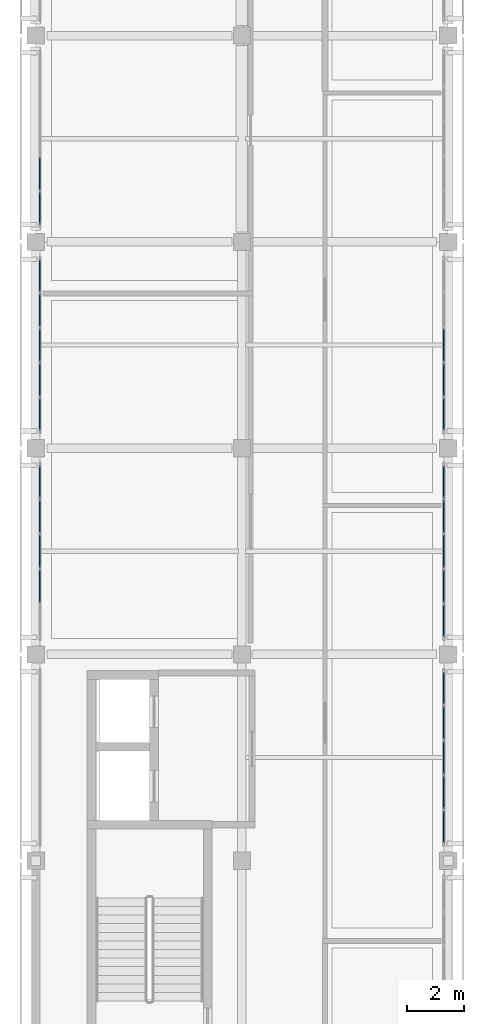
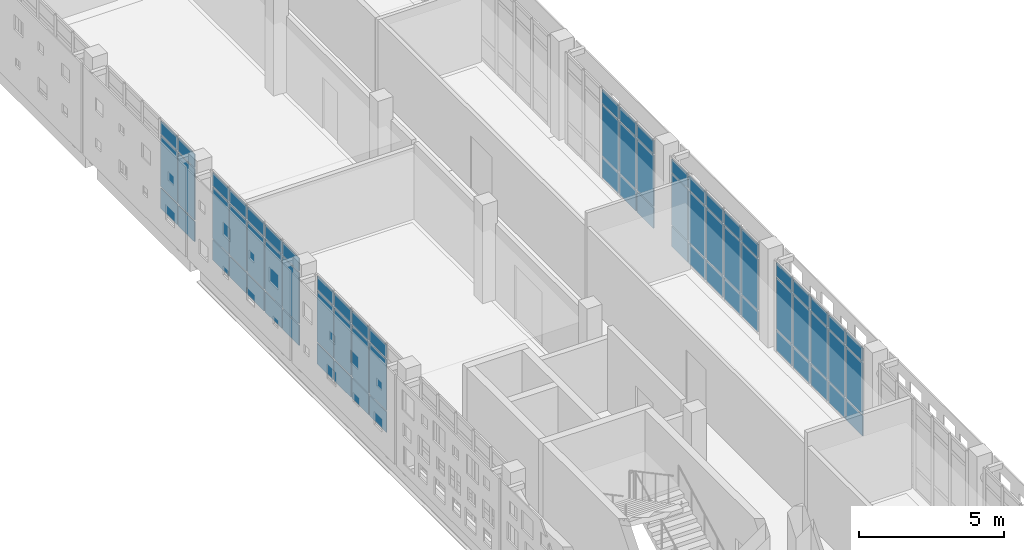
# One storey, part 12 of 21: 72 plates, 6 elements without a shape of their own.
"""IFC4 building model written with IfcOpenShell, lengths in metres."""

from ifc_helpers import new_model, si_unit, direction, frame, origin, origin_2d, place, context, subcontext, project, spatial, rectangle, extrude, material, layer, layer_set, type_object, element, aggregate, save


model = new_model("IFC4")

# Units and contexts
model_context = context("Model", 3, precision=1e-05, world=origin(), true_north=direction((0.0, 1.0)))
body_context = subcontext(model_context, "Body", "Model", "MODEL_VIEW")
ifc_project = project(units=[si_unit("LENGTHUNIT", "METRE"), si_unit("AREAUNIT", "SQUARE_METRE"), si_unit("VOLUMEUNIT", "CUBIC_METRE"), si_unit("PLANEANGLEUNIT", "RADIAN"), si_unit("MASSUNIT", "GRAM", prefix="KILO")], contexts=[model_context])

# Site, building, storey
site_placement = place(None, origin())
site = spatial("IfcSite", under=ifc_project, at=site_placement, CompositionType="ELEMENT")
building_placement = place(site_placement, origin())
building = spatial("IfcBuilding", under=site, at=building_placement, Name="Valkovuoma Quantum and Materials Research Institute", CompositionType="ELEMENT")
storey_placement = place(building_placement, frame((0.0, 0.0, 29.760009765625)))
storey = spatial("IfcBuildingStorey", under=building, at=storey_placement, Name="L07", CompositionType="ELEMENT", Elevation=29.760009765625)

# Curtain wall, plates
ifc_material_1 = material(Name="Thermally broken aluminium and triple low-E glazing", Category="aluminium")
ifc_layer_1 = layer(ifc_material_1, 0.219970703125)
ifc_layer_set_1 = layer_set([ifc_layer_1], Name="Thermally broken aluminium and triple low-E glazing")
curtain_wall_type = type_object("IfcCurtainWallType", Name="CW-CW-01", PredefinedType="NOTDEFINED", material=ifc_layer_set_1)
curtain_wall_1_placement = place(storey_placement, origin())
curtain_wall_1 = element("IfcCurtainWall", 1, at=curtain_wall_1_placement, inside=storey, type_object=curtain_wall_type, Name="L07 curtain wall 096", PredefinedType="NOTDEFINED")
ifc_material_2 = material(Name="Triple low-E argon insulating glass", Category="glass")
ifc_layer_2 = layer(ifc_material_2, 0.035888671875)
ifc_layer_set_2 = layer_set([ifc_layer_2], Name="Triple low-E argon insulating glass")
plate_type_1 = type_object("IfcPlateType", Name="CWPanel-CWP-01", PredefinedType="CURTAIN_PANEL", material=ifc_layer_set_2)
plate_1_placement = place(storey_placement, frame((0.14990234375, 45.582763671875, 0.06494140625), z_axis=(0.0, 0.0, 1.0), x_axis=(0.0, 1.0, 0.0)))
plate_1 = element("IfcPlate", 2, at=plate_1_placement, type_object=plate_type_1, Name="CW-01 panel 2.1", PredefinedType="CURTAIN_PANEL", context=body_context, shape_type="SweptSolid", body=[
    extrude(rectangle(XDim=1.152099609375, YDim=0.035888671875, at=origin_2d()), origin(), (0.0, 0.0, 1.0), 0.8525390625),
])
plate_2_placement = place(storey_placement, frame((0.14990234375, 45.582763671875, 0.982421875), z_axis=(0.0, 0.0, 1.0), x_axis=(0.0, 1.0, 0.0)))
plate_2 = element("IfcPlate", 3, at=plate_2_placement, type_object=plate_type_1, Name="CW-01 panel 2.2", PredefinedType="CURTAIN_PANEL", context=body_context, shape_type="SweptSolid", body=[
    extrude(rectangle(XDim=1.152099609375, YDim=0.035888671875, at=origin_2d()), origin(), (0.0, 0.0, 1.0), 2.14501953125),
])
plate_3_placement = place(storey_placement, frame((0.14990234375, 45.582763671875, 3.1923828125), z_axis=(0.0, 0.0, 1.0), x_axis=(0.0, 1.0, 0.0)))
plate_3 = element("IfcPlate", 4, at=plate_3_placement, type_object=plate_type_1, Name="CW-01 panel 2.3", PredefinedType="CURTAIN_PANEL", context=body_context, shape_type="SweptSolid", body=[
    extrude(rectangle(XDim=1.152099609375, YDim=0.035888671875, at=origin_2d()), origin(), (0.0, 0.0, 1.0), 0.552490234375),
])
plate_4_placement = place(storey_placement, frame((0.14990234375, 46.800048828125, 0.06494140625), z_axis=(0.0, 0.0, 1.0), x_axis=(0.0, 1.0, 0.0)))
plate_4 = element("IfcPlate", 5, at=plate_4_placement, type_object=plate_type_1, Name="CW-01 panel 3.1", PredefinedType="CURTAIN_PANEL", context=body_context, shape_type="SweptSolid", body=[
    extrude(rectangle(XDim=1.152099609375, YDim=0.035888671875, at=origin_2d()), origin(), (0.0, 0.0, 1.0), 0.8525390625),
])
plate_5_placement = place(storey_placement, frame((0.14990234375, 46.800048828125, 0.982421875), z_axis=(0.0, 0.0, 1.0), x_axis=(0.0, 1.0, 0.0)))
plate_5 = element("IfcPlate", 6, at=plate_5_placement, type_object=plate_type_1, Name="CW-01 panel 3.2", PredefinedType="CURTAIN_PANEL", context=body_context, shape_type="SweptSolid", body=[
    extrude(rectangle(XDim=1.152099609375, YDim=0.035888671875, at=origin_2d()), origin(), (0.0, 0.0, 1.0), 2.14501953125),
])
plate_6_placement = place(storey_placement, frame((0.14990234375, 46.800048828125, 3.1923828125), z_axis=(0.0, 0.0, 1.0), x_axis=(0.0, 1.0, 0.0)))
plate_6 = element("IfcPlate", 7, at=plate_6_placement, type_object=plate_type_1, Name="CW-01 panel 3.3", PredefinedType="CURTAIN_PANEL", context=body_context, shape_type="SweptSolid", body=[
    extrude(rectangle(XDim=1.152099609375, YDim=0.035888671875, at=origin_2d()), origin(), (0.0, 0.0, 1.0), 0.552490234375),
])
plate_7_placement = place(storey_placement, frame((0.14990234375, 48.01708984375, 0.06494140625), z_axis=(0.0, 0.0, 1.0), x_axis=(0.0, 1.0, 0.0)))
plate_7 = element("IfcPlate", 8, at=plate_7_placement, type_object=plate_type_1, Name="CW-01 panel 4.1", PredefinedType="CURTAIN_PANEL", context=body_context, shape_type="SweptSolid", body=[
    extrude(rectangle(XDim=1.152099609375, YDim=0.035888671875, at=origin_2d()), origin(), (0.0, 0.0, 1.0), 0.8525390625),
])
plate_8_placement = place(storey_placement, frame((0.14990234375, 48.01708984375, 0.982421875), z_axis=(0.0, 0.0, 1.0), x_axis=(0.0, 1.0, 0.0)))
plate_8 = element("IfcPlate", 9, at=plate_8_placement, type_object=plate_type_1, Name="CW-01 panel 4.2", PredefinedType="CURTAIN_PANEL", context=body_context, shape_type="SweptSolid", body=[
    extrude(rectangle(XDim=1.152099609375, YDim=0.035888671875, at=origin_2d()), origin(), (0.0, 0.0, 1.0), 2.14501953125),
])
plate_9_placement = place(storey_placement, frame((0.14990234375, 48.01708984375, 3.1923828125), z_axis=(0.0, 0.0, 1.0), x_axis=(0.0, 1.0, 0.0)))
plate_9 = element("IfcPlate", 10, at=plate_9_placement, type_object=plate_type_1, Name="CW-01 panel 4.3", PredefinedType="CURTAIN_PANEL", context=body_context, shape_type="SweptSolid", body=[
    extrude(rectangle(XDim=1.152099609375, YDim=0.035888671875, at=origin_2d()), origin(), (0.0, 0.0, 1.0), 0.552490234375),
])
plate_10_placement = place(storey_placement, frame((0.14990234375, 49.218017578125, 0.06494140625), z_axis=(0.0, 0.0, 1.0), x_axis=(0.0, 1.0, 0.0)))
plate_10 = element("IfcPlate", 11, at=plate_10_placement, type_object=plate_type_1, Name="CW-01 panel 5.1", PredefinedType="CURTAIN_PANEL", context=body_context, shape_type="SweptSolid", body=[
    extrude(rectangle(XDim=1.11962890625, YDim=0.035888671875, at=origin_2d()), origin(), (0.0, 0.0, 1.0), 0.8525390625),
])
plate_11_placement = place(storey_placement, frame((0.14990234375, 49.218017578125, 0.982421875), z_axis=(0.0, 0.0, 1.0), x_axis=(0.0, 1.0, 0.0)))
plate_11 = element("IfcPlate", 12, at=plate_11_placement, type_object=plate_type_1, Name="CW-01 panel 5.2", PredefinedType="CURTAIN_PANEL", context=body_context, shape_type="SweptSolid", body=[
    extrude(rectangle(XDim=1.11962890625, YDim=0.035888671875, at=origin_2d()), origin(), (0.0, 0.0, 1.0), 2.14501953125),
])
plate_12_placement = place(storey_placement, frame((0.14990234375, 49.218017578125, 3.1923828125), z_axis=(0.0, 0.0, 1.0), x_axis=(0.0, 1.0, 0.0)))
plate_12 = element("IfcPlate", 13, at=plate_12_placement, type_object=plate_type_1, Name="CW-01 panel 5.3", PredefinedType="CURTAIN_PANEL", context=body_context, shape_type="SweptSolid", body=[
    extrude(rectangle(XDim=1.11962890625, YDim=0.035888671875, at=origin_2d()), origin(), (0.0, 0.0, 1.0), 0.552490234375),
])
aggregate(curtain_wall_1, [plate_1, plate_2, plate_3, plate_4, plate_5, plate_6, plate_7, plate_8, plate_9, plate_10, plate_11, plate_12])

curtain_wall_2_placement = place(storey_placement, origin())
curtain_wall_2 = element("IfcCurtainWall", 14, at=curtain_wall_2_placement, inside=storey, type_object=curtain_wall_type, Name="L07 curtain wall 098", PredefinedType="NOTDEFINED")
plate_13_placement = place(storey_placement, frame((0.14990234375, 51.58203125, 0.06494140625), z_axis=(0.0, 0.0, 1.0), x_axis=(0.0, 1.0, 0.0)))
plate_13 = element("IfcPlate", 15, at=plate_13_placement, type_object=plate_type_1, Name="CW-01 panel 1.1", PredefinedType="CURTAIN_PANEL", context=body_context, shape_type="SweptSolid", body=[
    extrude(rectangle(XDim=1.11962890625, YDim=0.035888671875, at=origin_2d()), origin(), (0.0, 0.0, 1.0), 0.8525390625),
])
plate_14_placement = place(storey_placement, frame((0.14990234375, 51.58203125, 0.982421875), z_axis=(0.0, 0.0, 1.0), x_axis=(0.0, 1.0, 0.0)))
plate_14 = element("IfcPlate", 16, at=plate_14_placement, type_object=plate_type_1, Name="CW-01 panel 1.2", PredefinedType="CURTAIN_PANEL", context=body_context, shape_type="SweptSolid", body=[
    extrude(rectangle(XDim=1.11962890625, YDim=0.035888671875, at=origin_2d()), origin(), (0.0, 0.0, 1.0), 2.14501953125),
])
plate_15_placement = place(storey_placement, frame((0.14990234375, 51.58203125, 3.1923828125), z_axis=(0.0, 0.0, 1.0), x_axis=(0.0, 1.0, 0.0)))
plate_15 = element("IfcPlate", 17, at=plate_15_placement, type_object=plate_type_1, Name="CW-01 panel 1.3", PredefinedType="CURTAIN_PANEL", context=body_context, shape_type="SweptSolid", body=[
    extrude(rectangle(XDim=1.11962890625, YDim=0.035888671875, at=origin_2d()), origin(), (0.0, 0.0, 1.0), 0.552490234375),
])
plate_16_placement = place(storey_placement, frame((0.14990234375, 52.782958984375, 0.06494140625), z_axis=(0.0, 0.0, 1.0), x_axis=(0.0, 1.0, 0.0)))
plate_16 = element("IfcPlate", 18, at=plate_16_placement, type_object=plate_type_1, Name="CW-01 panel 2.1", PredefinedType="CURTAIN_PANEL", context=body_context, shape_type="SweptSolid", body=[
    extrude(rectangle(XDim=1.152099609375, YDim=0.035888671875, at=origin_2d()), origin(), (0.0, 0.0, 1.0), 0.8525390625),
])
plate_17_placement = place(storey_placement, frame((0.14990234375, 52.782958984375, 0.982421875), z_axis=(0.0, 0.0, 1.0), x_axis=(0.0, 1.0, 0.0)))
plate_17 = element("IfcPlate", 19, at=plate_17_placement, type_object=plate_type_1, Name="CW-01 panel 2.2", PredefinedType="CURTAIN_PANEL", context=body_context, shape_type="SweptSolid", body=[
    extrude(rectangle(XDim=1.152099609375, YDim=0.035888671875, at=origin_2d()), origin(), (0.0, 0.0, 1.0), 2.14501953125),
])
plate_18_placement = place(storey_placement, frame((0.14990234375, 52.782958984375, 3.1923828125), z_axis=(0.0, 0.0, 1.0), x_axis=(0.0, 1.0, 0.0)))
plate_18 = element("IfcPlate", 20, at=plate_18_placement, type_object=plate_type_1, Name="CW-01 panel 2.3", PredefinedType="CURTAIN_PANEL", context=body_context, shape_type="SweptSolid", body=[
    extrude(rectangle(XDim=1.152099609375, YDim=0.035888671875, at=origin_2d()), origin(), (0.0, 0.0, 1.0), 0.552490234375),
])
plate_19_placement = place(storey_placement, frame((0.14990234375, 54.0, 0.06494140625), z_axis=(0.0, 0.0, 1.0), x_axis=(0.0, 1.0, 0.0)))
plate_19 = element("IfcPlate", 21, at=plate_19_placement, type_object=plate_type_1, Name="CW-01 panel 3.1", PredefinedType="CURTAIN_PANEL", context=body_context, shape_type="SweptSolid", body=[
    extrude(rectangle(XDim=1.152099609375, YDim=0.035888671875, at=origin_2d()), origin(), (0.0, 0.0, 1.0), 0.8525390625),
])
plate_20_placement = place(storey_placement, frame((0.14990234375, 54.0, 0.982421875), z_axis=(0.0, 0.0, 1.0), x_axis=(0.0, 1.0, 0.0)))
plate_20 = element("IfcPlate", 22, at=plate_20_placement, type_object=plate_type_1, Name="CW-01 panel 3.2", PredefinedType="CURTAIN_PANEL", context=body_context, shape_type="SweptSolid", body=[
    extrude(rectangle(XDim=1.152099609375, YDim=0.035888671875, at=origin_2d()), origin(), (0.0, 0.0, 1.0), 2.14501953125),
])
plate_21_placement = place(storey_placement, frame((0.14990234375, 54.0, 3.1923828125), z_axis=(0.0, 0.0, 1.0), x_axis=(0.0, 1.0, 0.0)))
plate_21 = element("IfcPlate", 23, at=plate_21_placement, type_object=plate_type_1, Name="CW-01 panel 3.3", PredefinedType="CURTAIN_PANEL", context=body_context, shape_type="SweptSolid", body=[
    extrude(rectangle(XDim=1.152099609375, YDim=0.035888671875, at=origin_2d()), origin(), (0.0, 0.0, 1.0), 0.552490234375),
])
plate_22_placement = place(storey_placement, frame((0.14990234375, 55.217041015625, 0.06494140625), z_axis=(0.0, 0.0, 1.0), x_axis=(0.0, 1.0, 0.0)))
plate_22 = element("IfcPlate", 24, at=plate_22_placement, type_object=plate_type_1, Name="CW-01 panel 4.1", PredefinedType="CURTAIN_PANEL", context=body_context, shape_type="SweptSolid", body=[
    extrude(rectangle(XDim=1.152099609375, YDim=0.035888671875, at=origin_2d()), origin(), (0.0, 0.0, 1.0), 0.8525390625),
])
plate_23_placement = place(storey_placement, frame((0.14990234375, 55.217041015625, 0.982421875), z_axis=(0.0, 0.0, 1.0), x_axis=(0.0, 1.0, 0.0)))
plate_23 = element("IfcPlate", 25, at=plate_23_placement, type_object=plate_type_1, Name="CW-01 panel 4.2", PredefinedType="CURTAIN_PANEL", context=body_context, shape_type="SweptSolid", body=[
    extrude(rectangle(XDim=1.152099609375, YDim=0.035888671875, at=origin_2d()), origin(), (0.0, 0.0, 1.0), 2.14501953125),
])
plate_24_placement = place(storey_placement, frame((0.14990234375, 55.217041015625, 3.1923828125), z_axis=(0.0, 0.0, 1.0), x_axis=(0.0, 1.0, 0.0)))
plate_24 = element("IfcPlate", 26, at=plate_24_placement, type_object=plate_type_1, Name="CW-01 panel 4.3", PredefinedType="CURTAIN_PANEL", context=body_context, shape_type="SweptSolid", body=[
    extrude(rectangle(XDim=1.152099609375, YDim=0.035888671875, at=origin_2d()), origin(), (0.0, 0.0, 1.0), 0.552490234375),
])
plate_25_placement = place(storey_placement, frame((0.14990234375, 56.41796875, 0.06494140625), z_axis=(0.0, 0.0, 1.0), x_axis=(0.0, 1.0, 0.0)))
plate_25 = element("IfcPlate", 27, at=plate_25_placement, type_object=plate_type_1, Name="CW-01 panel 5.1", PredefinedType="CURTAIN_PANEL", context=body_context, shape_type="SweptSolid", body=[
    extrude(rectangle(XDim=1.11962890625, YDim=0.035888671875, at=origin_2d()), origin(), (0.0, 0.0, 1.0), 0.8525390625),
])
plate_26_placement = place(storey_placement, frame((0.14990234375, 56.41796875, 0.982421875), z_axis=(0.0, 0.0, 1.0), x_axis=(0.0, 1.0, 0.0)))
plate_26 = element("IfcPlate", 28, at=plate_26_placement, type_object=plate_type_1, Name="CW-01 panel 5.2", PredefinedType="CURTAIN_PANEL", context=body_context, shape_type="SweptSolid", body=[
    extrude(rectangle(XDim=1.11962890625, YDim=0.035888671875, at=origin_2d()), origin(), (0.0, 0.0, 1.0), 2.14501953125),
])
plate_27_placement = place(storey_placement, frame((0.14990234375, 56.41796875, 3.1923828125), z_axis=(0.0, 0.0, 1.0), x_axis=(0.0, 1.0, 0.0)))
plate_27 = element("IfcPlate", 29, at=plate_27_placement, type_object=plate_type_1, Name="CW-01 panel 5.3", PredefinedType="CURTAIN_PANEL", context=body_context, shape_type="SweptSolid", body=[
    extrude(rectangle(XDim=1.11962890625, YDim=0.035888671875, at=origin_2d()), origin(), (0.0, 0.0, 1.0), 0.552490234375),
])
aggregate(curtain_wall_2, [plate_13, plate_14, plate_15, plate_16, plate_17, plate_18, plate_19, plate_20, plate_21, plate_22, plate_23, plate_24, plate_25, plate_26, plate_27])

curtain_wall_3_placement = place(storey_placement, origin())
curtain_wall_3 = element("IfcCurtainWall", 30, at=curtain_wall_3_placement, inside=storey, type_object=curtain_wall_type, Name="L07 curtain wall 100", PredefinedType="NOTDEFINED")
plate_28_placement = place(storey_placement, frame((0.14990234375, 58.781982421875, 0.06494140625), z_axis=(0.0, 0.0, 1.0), x_axis=(0.0, 1.0, 0.0)))
plate_28 = element("IfcPlate", 31, at=plate_28_placement, type_object=plate_type_1, Name="CW-01 panel 1.1", PredefinedType="CURTAIN_PANEL", context=body_context, shape_type="SweptSolid", body=[
    extrude(rectangle(XDim=1.11962890625, YDim=0.035888671875, at=origin_2d()), origin(), (0.0, 0.0, 1.0), 0.8525390625),
])
plate_29_placement = place(storey_placement, frame((0.14990234375, 58.781982421875, 0.982421875), z_axis=(0.0, 0.0, 1.0), x_axis=(0.0, 1.0, 0.0)))
plate_29 = element("IfcPlate", 32, at=plate_29_placement, type_object=plate_type_1, Name="CW-01 panel 1.2", PredefinedType="CURTAIN_PANEL", context=body_context, shape_type="SweptSolid", body=[
    extrude(rectangle(XDim=1.11962890625, YDim=0.035888671875, at=origin_2d()), origin(), (0.0, 0.0, 1.0), 2.14501953125),
])
plate_30_placement = place(storey_placement, frame((0.14990234375, 58.781982421875, 3.1923828125), z_axis=(0.0, 0.0, 1.0), x_axis=(0.0, 1.0, 0.0)))
plate_30 = element("IfcPlate", 33, at=plate_30_placement, type_object=plate_type_1, Name="CW-01 panel 1.3", PredefinedType="CURTAIN_PANEL", context=body_context, shape_type="SweptSolid", body=[
    extrude(rectangle(XDim=1.11962890625, YDim=0.035888671875, at=origin_2d()), origin(), (0.0, 0.0, 1.0), 0.552490234375),
])
plate_31_placement = place(storey_placement, frame((0.14990234375, 59.98291015625, 0.06494140625), z_axis=(0.0, 0.0, 1.0), x_axis=(0.0, 1.0, 0.0)))
plate_31 = element("IfcPlate", 34, at=plate_31_placement, type_object=plate_type_1, Name="CW-01 panel 2.1", PredefinedType="CURTAIN_PANEL", context=body_context, shape_type="SweptSolid", body=[
    extrude(rectangle(XDim=1.152099609375, YDim=0.035888671875, at=origin_2d()), origin(), (0.0, 0.0, 1.0), 0.8525390625),
])
plate_32_placement = place(storey_placement, frame((0.14990234375, 59.98291015625, 0.982421875), z_axis=(0.0, 0.0, 1.0), x_axis=(0.0, 1.0, 0.0)))
plate_32 = element("IfcPlate", 35, at=plate_32_placement, type_object=plate_type_1, Name="CW-01 panel 2.2", PredefinedType="CURTAIN_PANEL", context=body_context, shape_type="SweptSolid", body=[
    extrude(rectangle(XDim=1.152099609375, YDim=0.035888671875, at=origin_2d()), origin(), (0.0, 0.0, 1.0), 2.14501953125),
])
plate_33_placement = place(storey_placement, frame((0.14990234375, 59.98291015625, 3.1923828125), z_axis=(0.0, 0.0, 1.0), x_axis=(0.0, 1.0, 0.0)))
plate_33 = element("IfcPlate", 36, at=plate_33_placement, type_object=plate_type_1, Name="CW-01 panel 2.3", PredefinedType="CURTAIN_PANEL", context=body_context, shape_type="SweptSolid", body=[
    extrude(rectangle(XDim=1.152099609375, YDim=0.035888671875, at=origin_2d()), origin(), (0.0, 0.0, 1.0), 0.552490234375),
])
aggregate(curtain_wall_3, [plate_28, plate_29, plate_30, plate_31, plate_32, plate_33])

curtain_wall_4_placement = place(storey_placement, origin())
curtain_wall_4 = element("IfcCurtainWall", 37, at=curtain_wall_4_placement, inside=storey, type_object=curtain_wall_type, Name="L07 curtain wall 095", PredefinedType="NOTDEFINED")
ifc_material_3 = material(Name="Triple low-E argon insulating glass", Category="glass")
ifc_layer_3 = layer(ifc_material_3, 0.0419921875)
ifc_layer_set_3 = layer_set([ifc_layer_3], Name="Triple low-E argon insulating glass")
plate_type_2 = type_object("IfcPlateType", Name="CWPanel-CWP-02", PredefinedType="CURTAIN_PANEL", material=ifc_layer_set_3)
plate_34_placement = place(storey_placement, frame((14.25, 37.181884765625, 0.06494140625), z_axis=(0.0, 0.0, 1.0), x_axis=(0.0, 1.0, 0.0)))
plate_34 = element("IfcPlate", 38, at=plate_34_placement, type_object=plate_type_2, Name="CW-01 panel 1.1", PredefinedType="CURTAIN_PANEL", context=body_context, shape_type="SweptSolid", body=[
    extrude(rectangle(XDim=1.11962890625, YDim=0.0419921875, at=origin_2d()), origin(), (0.0, 0.0, 1.0), 0.8525390625),
])
plate_35_placement = place(storey_placement, frame((14.25, 37.181884765625, 0.982421875), z_axis=(0.0, 0.0, 1.0), x_axis=(0.0, 1.0, 0.0)))
plate_35 = element("IfcPlate", 39, at=plate_35_placement, type_object=plate_type_2, Name="CW-01 panel 1.2", PredefinedType="CURTAIN_PANEL", context=body_context, shape_type="SweptSolid", body=[
    extrude(rectangle(XDim=1.11962890625, YDim=0.0419921875, at=origin_2d()), origin(), (0.0, 0.0, 1.0), 2.14501953125),
])
plate_36_placement = place(storey_placement, frame((14.25, 37.181884765625, 3.1923828125), z_axis=(0.0, 0.0, 1.0), x_axis=(0.0, 1.0, 0.0)))
plate_36 = element("IfcPlate", 40, at=plate_36_placement, type_object=plate_type_2, Name="CW-01 panel 1.3", PredefinedType="CURTAIN_PANEL", context=body_context, shape_type="SweptSolid", body=[
    extrude(rectangle(XDim=1.11962890625, YDim=0.0419921875, at=origin_2d()), origin(), (0.0, 0.0, 1.0), 0.552490234375),
])
plate_37_placement = place(storey_placement, frame((14.25, 38.3828125, 0.06494140625), z_axis=(0.0, 0.0, 1.0), x_axis=(0.0, 1.0, 0.0)))
plate_37 = element("IfcPlate", 41, at=plate_37_placement, type_object=plate_type_2, Name="CW-01 panel 2.1", PredefinedType="CURTAIN_PANEL", context=body_context, shape_type="SweptSolid", body=[
    extrude(rectangle(XDim=1.152099609375, YDim=0.0419921875, at=origin_2d()), origin(), (0.0, 0.0, 1.0), 0.8525390625),
])
plate_38_placement = place(storey_placement, frame((14.25, 38.3828125, 0.982421875), z_axis=(0.0, 0.0, 1.0), x_axis=(0.0, 1.0, 0.0)))
plate_38 = element("IfcPlate", 42, at=plate_38_placement, type_object=plate_type_2, Name="CW-01 panel 2.2", PredefinedType="CURTAIN_PANEL", context=body_context, shape_type="SweptSolid", body=[
    extrude(rectangle(XDim=1.152099609375, YDim=0.0419921875, at=origin_2d()), origin(), (0.0, 0.0, 1.0), 2.14501953125),
])
plate_39_placement = place(storey_placement, frame((14.25, 38.3828125, 3.1923828125), z_axis=(0.0, 0.0, 1.0), x_axis=(0.0, 1.0, 0.0)))
plate_39 = element("IfcPlate", 43, at=plate_39_placement, type_object=plate_type_2, Name="CW-01 panel 2.3", PredefinedType="CURTAIN_PANEL", context=body_context, shape_type="SweptSolid", body=[
    extrude(rectangle(XDim=1.152099609375, YDim=0.0419921875, at=origin_2d()), origin(), (0.0, 0.0, 1.0), 0.552490234375),
])
plate_40_placement = place(storey_placement, frame((14.25, 39.60009765625, 0.06494140625), z_axis=(0.0, 0.0, 1.0), x_axis=(0.0, 1.0, 0.0)))
plate_40 = element("IfcPlate", 44, at=plate_40_placement, type_object=plate_type_2, Name="CW-01 panel 3.1", PredefinedType="CURTAIN_PANEL", context=body_context, shape_type="SweptSolid", body=[
    extrude(rectangle(XDim=1.152099609375, YDim=0.0419921875, at=origin_2d()), origin(), (0.0, 0.0, 1.0), 0.8525390625),
])
plate_41_placement = place(storey_placement, frame((14.25, 39.60009765625, 0.982421875), z_axis=(0.0, 0.0, 1.0), x_axis=(0.0, 1.0, 0.0)))
plate_41 = element("IfcPlate", 45, at=plate_41_placement, type_object=plate_type_2, Name="CW-01 panel 3.2", PredefinedType="CURTAIN_PANEL", context=body_context, shape_type="SweptSolid", body=[
    extrude(rectangle(XDim=1.152099609375, YDim=0.0419921875, at=origin_2d()), origin(), (0.0, 0.0, 1.0), 2.14501953125),
])
plate_42_placement = place(storey_placement, frame((14.25, 39.60009765625, 3.1923828125), z_axis=(0.0, 0.0, 1.0), x_axis=(0.0, 1.0, 0.0)))
plate_42 = element("IfcPlate", 46, at=plate_42_placement, type_object=plate_type_2, Name="CW-01 panel 3.3", PredefinedType="CURTAIN_PANEL", context=body_context, shape_type="SweptSolid", body=[
    extrude(rectangle(XDim=1.152099609375, YDim=0.0419921875, at=origin_2d()), origin(), (0.0, 0.0, 1.0), 0.552490234375),
])
plate_43_placement = place(storey_placement, frame((14.25, 40.817138671875, 0.06494140625), z_axis=(0.0, 0.0, 1.0), x_axis=(0.0, 1.0, 0.0)))
plate_43 = element("IfcPlate", 47, at=plate_43_placement, type_object=plate_type_2, Name="CW-01 panel 4.1", PredefinedType="CURTAIN_PANEL", context=body_context, shape_type="SweptSolid", body=[
    extrude(rectangle(XDim=1.152099609375, YDim=0.0419921875, at=origin_2d()), origin(), (0.0, 0.0, 1.0), 0.8525390625),
])
plate_44_placement = place(storey_placement, frame((14.25, 40.817138671875, 0.982421875), z_axis=(0.0, 0.0, 1.0), x_axis=(0.0, 1.0, 0.0)))
plate_44 = element("IfcPlate", 48, at=plate_44_placement, type_object=plate_type_2, Name="CW-01 panel 4.2", PredefinedType="CURTAIN_PANEL", context=body_context, shape_type="SweptSolid", body=[
    extrude(rectangle(XDim=1.152099609375, YDim=0.0419921875, at=origin_2d()), origin(), (0.0, 0.0, 1.0), 2.14501953125),
])
plate_45_placement = place(storey_placement, frame((14.25, 40.817138671875, 3.1923828125), z_axis=(0.0, 0.0, 1.0), x_axis=(0.0, 1.0, 0.0)))
plate_45 = element("IfcPlate", 49, at=plate_45_placement, type_object=plate_type_2, Name="CW-01 panel 4.3", PredefinedType="CURTAIN_PANEL", context=body_context, shape_type="SweptSolid", body=[
    extrude(rectangle(XDim=1.152099609375, YDim=0.0419921875, at=origin_2d()), origin(), (0.0, 0.0, 1.0), 0.552490234375),
])
plate_46_placement = place(storey_placement, frame((14.25, 42.01806640625, 0.06494140625), z_axis=(0.0, 0.0, 1.0), x_axis=(0.0, 1.0, 0.0)))
plate_46 = element("IfcPlate", 50, at=plate_46_placement, type_object=plate_type_2, Name="CW-01 panel 5.1", PredefinedType="CURTAIN_PANEL", context=body_context, shape_type="SweptSolid", body=[
    extrude(rectangle(XDim=1.11962890625, YDim=0.0419921875, at=origin_2d()), origin(), (0.0, 0.0, 1.0), 0.8525390625),
])
plate_47_placement = place(storey_placement, frame((14.25, 42.01806640625, 0.982421875), z_axis=(0.0, 0.0, 1.0), x_axis=(0.0, 1.0, 0.0)))
plate_47 = element("IfcPlate", 51, at=plate_47_placement, type_object=plate_type_2, Name="CW-01 panel 5.2", PredefinedType="CURTAIN_PANEL", context=body_context, shape_type="SweptSolid", body=[
    extrude(rectangle(XDim=1.11962890625, YDim=0.0419921875, at=origin_2d()), origin(), (0.0, 0.0, 1.0), 2.14501953125),
])
plate_48_placement = place(storey_placement, frame((14.25, 42.01806640625, 3.1923828125), z_axis=(0.0, 0.0, 1.0), x_axis=(0.0, 1.0, 0.0)))
plate_48 = element("IfcPlate", 52, at=plate_48_placement, type_object=plate_type_2, Name="CW-01 panel 5.3", PredefinedType="CURTAIN_PANEL", context=body_context, shape_type="SweptSolid", body=[
    extrude(rectangle(XDim=1.11962890625, YDim=0.0419921875, at=origin_2d()), origin(), (0.0, 0.0, 1.0), 0.552490234375),
])
aggregate(curtain_wall_4, [plate_34, plate_35, plate_36, plate_37, plate_38, plate_39, plate_40, plate_41, plate_42, plate_43, plate_44, plate_45, plate_46, plate_47, plate_48])

curtain_wall_5_placement = place(storey_placement, origin())
curtain_wall_5 = element("IfcCurtainWall", 53, at=curtain_wall_5_placement, inside=storey, type_object=curtain_wall_type, Name="L07 curtain wall 097", PredefinedType="NOTDEFINED")
plate_49_placement = place(storey_placement, frame((14.25, 44.3818359375, 0.06494140625), z_axis=(0.0, 0.0, 1.0), x_axis=(0.0, 1.0, 0.0)))
plate_49 = element("IfcPlate", 54, at=plate_49_placement, type_object=plate_type_2, Name="CW-01 panel 1.1", PredefinedType="CURTAIN_PANEL", context=body_context, shape_type="SweptSolid", body=[
    extrude(rectangle(XDim=1.11962890625, YDim=0.0419921875, at=origin_2d()), origin(), (0.0, 0.0, 1.0), 0.8525390625),
])
plate_50_placement = place(storey_placement, frame((14.25, 44.3818359375, 0.982421875), z_axis=(0.0, 0.0, 1.0), x_axis=(0.0, 1.0, 0.0)))
plate_50 = element("IfcPlate", 55, at=plate_50_placement, type_object=plate_type_2, Name="CW-01 panel 1.2", PredefinedType="CURTAIN_PANEL", context=body_context, shape_type="SweptSolid", body=[
    extrude(rectangle(XDim=1.11962890625, YDim=0.0419921875, at=origin_2d()), origin(), (0.0, 0.0, 1.0), 2.14501953125),
])
plate_51_placement = place(storey_placement, frame((14.25, 44.3818359375, 3.1923828125), z_axis=(0.0, 0.0, 1.0), x_axis=(0.0, 1.0, 0.0)))
plate_51 = element("IfcPlate", 56, at=plate_51_placement, type_object=plate_type_2, Name="CW-01 panel 1.3", PredefinedType="CURTAIN_PANEL", context=body_context, shape_type="SweptSolid", body=[
    extrude(rectangle(XDim=1.11962890625, YDim=0.0419921875, at=origin_2d()), origin(), (0.0, 0.0, 1.0), 0.552490234375),
])
plate_52_placement = place(storey_placement, frame((14.25, 45.582763671875, 0.06494140625), z_axis=(0.0, 0.0, 1.0), x_axis=(0.0, 1.0, 0.0)))
plate_52 = element("IfcPlate", 57, at=plate_52_placement, type_object=plate_type_2, Name="CW-01 panel 2.1", PredefinedType="CURTAIN_PANEL", context=body_context, shape_type="SweptSolid", body=[
    extrude(rectangle(XDim=1.152099609375, YDim=0.0419921875, at=origin_2d()), origin(), (0.0, 0.0, 1.0), 0.8525390625),
])
plate_53_placement = place(storey_placement, frame((14.25, 45.582763671875, 0.982421875), z_axis=(0.0, 0.0, 1.0), x_axis=(0.0, 1.0, 0.0)))
plate_53 = element("IfcPlate", 58, at=plate_53_placement, type_object=plate_type_2, Name="CW-01 panel 2.2", PredefinedType="CURTAIN_PANEL", context=body_context, shape_type="SweptSolid", body=[
    extrude(rectangle(XDim=1.152099609375, YDim=0.0419921875, at=origin_2d()), origin(), (0.0, 0.0, 1.0), 2.14501953125),
])
plate_54_placement = place(storey_placement, frame((14.25, 45.582763671875, 3.1923828125), z_axis=(0.0, 0.0, 1.0), x_axis=(0.0, 1.0, 0.0)))
plate_54 = element("IfcPlate", 59, at=plate_54_placement, type_object=plate_type_2, Name="CW-01 panel 2.3", PredefinedType="CURTAIN_PANEL", context=body_context, shape_type="SweptSolid", body=[
    extrude(rectangle(XDim=1.152099609375, YDim=0.0419921875, at=origin_2d()), origin(), (0.0, 0.0, 1.0), 0.552490234375),
])
plate_55_placement = place(storey_placement, frame((14.25, 46.800048828125, 0.06494140625), z_axis=(0.0, 0.0, 1.0), x_axis=(0.0, 1.0, 0.0)))
plate_55 = element("IfcPlate", 60, at=plate_55_placement, type_object=plate_type_2, Name="CW-01 panel 3.1", PredefinedType="CURTAIN_PANEL", context=body_context, shape_type="SweptSolid", body=[
    extrude(rectangle(XDim=1.152099609375, YDim=0.0419921875, at=origin_2d()), origin(), (0.0, 0.0, 1.0), 0.8525390625),
])
plate_56_placement = place(storey_placement, frame((14.25, 46.800048828125, 0.982421875), z_axis=(0.0, 0.0, 1.0), x_axis=(0.0, 1.0, 0.0)))
plate_56 = element("IfcPlate", 61, at=plate_56_placement, type_object=plate_type_2, Name="CW-01 panel 3.2", PredefinedType="CURTAIN_PANEL", context=body_context, shape_type="SweptSolid", body=[
    extrude(rectangle(XDim=1.152099609375, YDim=0.0419921875, at=origin_2d()), origin(), (0.0, 0.0, 1.0), 2.14501953125),
])
plate_57_placement = place(storey_placement, frame((14.25, 46.800048828125, 3.1923828125), z_axis=(0.0, 0.0, 1.0), x_axis=(0.0, 1.0, 0.0)))
plate_57 = element("IfcPlate", 62, at=plate_57_placement, type_object=plate_type_2, Name="CW-01 panel 3.3", PredefinedType="CURTAIN_PANEL", context=body_context, shape_type="SweptSolid", body=[
    extrude(rectangle(XDim=1.152099609375, YDim=0.0419921875, at=origin_2d()), origin(), (0.0, 0.0, 1.0), 0.552490234375),
])
plate_58_placement = place(storey_placement, frame((14.25, 48.01708984375, 0.06494140625), z_axis=(0.0, 0.0, 1.0), x_axis=(0.0, 1.0, 0.0)))
plate_58 = element("IfcPlate", 63, at=plate_58_placement, type_object=plate_type_2, Name="CW-01 panel 4.1", PredefinedType="CURTAIN_PANEL", context=body_context, shape_type="SweptSolid", body=[
    extrude(rectangle(XDim=1.152099609375, YDim=0.0419921875, at=origin_2d()), origin(), (0.0, 0.0, 1.0), 0.8525390625),
])
plate_59_placement = place(storey_placement, frame((14.25, 48.01708984375, 0.982421875), z_axis=(0.0, 0.0, 1.0), x_axis=(0.0, 1.0, 0.0)))
plate_59 = element("IfcPlate", 64, at=plate_59_placement, type_object=plate_type_2, Name="CW-01 panel 4.2", PredefinedType="CURTAIN_PANEL", context=body_context, shape_type="SweptSolid", body=[
    extrude(rectangle(XDim=1.152099609375, YDim=0.0419921875, at=origin_2d()), origin(), (0.0, 0.0, 1.0), 2.14501953125),
])
plate_60_placement = place(storey_placement, frame((14.25, 48.01708984375, 3.1923828125), z_axis=(0.0, 0.0, 1.0), x_axis=(0.0, 1.0, 0.0)))
plate_60 = element("IfcPlate", 65, at=plate_60_placement, type_object=plate_type_2, Name="CW-01 panel 4.3", PredefinedType="CURTAIN_PANEL", context=body_context, shape_type="SweptSolid", body=[
    extrude(rectangle(XDim=1.152099609375, YDim=0.0419921875, at=origin_2d()), origin(), (0.0, 0.0, 1.0), 0.552490234375),
])
plate_61_placement = place(storey_placement, frame((14.25, 49.218017578125, 0.06494140625), z_axis=(0.0, 0.0, 1.0), x_axis=(0.0, 1.0, 0.0)))
plate_61 = element("IfcPlate", 66, at=plate_61_placement, type_object=plate_type_2, Name="CW-01 panel 5.1", PredefinedType="CURTAIN_PANEL", context=body_context, shape_type="SweptSolid", body=[
    extrude(rectangle(XDim=1.11962890625, YDim=0.0419921875, at=origin_2d()), origin(), (0.0, 0.0, 1.0), 0.8525390625),
])
plate_62_placement = place(storey_placement, frame((14.25, 49.218017578125, 0.982421875), z_axis=(0.0, 0.0, 1.0), x_axis=(0.0, 1.0, 0.0)))
plate_62 = element("IfcPlate", 67, at=plate_62_placement, type_object=plate_type_2, Name="CW-01 panel 5.2", PredefinedType="CURTAIN_PANEL", context=body_context, shape_type="SweptSolid", body=[
    extrude(rectangle(XDim=1.11962890625, YDim=0.0419921875, at=origin_2d()), origin(), (0.0, 0.0, 1.0), 2.14501953125),
])
plate_63_placement = place(storey_placement, frame((14.25, 49.218017578125, 3.1923828125), z_axis=(0.0, 0.0, 1.0), x_axis=(0.0, 1.0, 0.0)))
plate_63 = element("IfcPlate", 68, at=plate_63_placement, type_object=plate_type_2, Name="CW-01 panel 5.3", PredefinedType="CURTAIN_PANEL", context=body_context, shape_type="SweptSolid", body=[
    extrude(rectangle(XDim=1.11962890625, YDim=0.0419921875, at=origin_2d()), origin(), (0.0, 0.0, 1.0), 0.552490234375),
])
aggregate(curtain_wall_5, [plate_49, plate_50, plate_51, plate_52, plate_53, plate_54, plate_55, plate_56, plate_57, plate_58, plate_59, plate_60, plate_61, plate_62, plate_63])

curtain_wall_6_placement = place(storey_placement, origin())
curtain_wall_6 = element("IfcCurtainWall", 69, at=curtain_wall_6_placement, inside=storey, type_object=curtain_wall_type, Name="L07 curtain wall 099", PredefinedType="NOTDEFINED")
plate_64_placement = place(storey_placement, frame((14.25, 51.58203125, 0.06494140625), z_axis=(0.0, 0.0, 1.0), x_axis=(0.0, 1.0, 0.0)))
plate_64 = element("IfcPlate", 70, at=plate_64_placement, type_object=plate_type_2, Name="CW-01 panel 1.1", PredefinedType="CURTAIN_PANEL", context=body_context, shape_type="SweptSolid", body=[
    extrude(rectangle(XDim=1.11962890625, YDim=0.0419921875, at=origin_2d()), origin(), (0.0, 0.0, 1.0), 0.8525390625),
])
plate_65_placement = place(storey_placement, frame((14.25, 51.58203125, 0.982421875), z_axis=(0.0, 0.0, 1.0), x_axis=(0.0, 1.0, 0.0)))
plate_65 = element("IfcPlate", 71, at=plate_65_placement, type_object=plate_type_2, Name="CW-01 panel 1.2", PredefinedType="CURTAIN_PANEL", context=body_context, shape_type="SweptSolid", body=[
    extrude(rectangle(XDim=1.11962890625, YDim=0.0419921875, at=origin_2d()), origin(), (0.0, 0.0, 1.0), 2.14501953125),
])
plate_66_placement = place(storey_placement, frame((14.25, 51.58203125, 3.1923828125), z_axis=(0.0, 0.0, 1.0), x_axis=(0.0, 1.0, 0.0)))
plate_66 = element("IfcPlate", 72, at=plate_66_placement, type_object=plate_type_2, Name="CW-01 panel 1.3", PredefinedType="CURTAIN_PANEL", context=body_context, shape_type="SweptSolid", body=[
    extrude(rectangle(XDim=1.11962890625, YDim=0.0419921875, at=origin_2d()), origin(), (0.0, 0.0, 1.0), 0.552490234375),
])
plate_67_placement = place(storey_placement, frame((14.25, 52.782958984375, 0.06494140625), z_axis=(0.0, 0.0, 1.0), x_axis=(0.0, 1.0, 0.0)))
plate_67 = element("IfcPlate", 73, at=plate_67_placement, type_object=plate_type_2, Name="CW-01 panel 2.1", PredefinedType="CURTAIN_PANEL", context=body_context, shape_type="SweptSolid", body=[
    extrude(rectangle(XDim=1.152099609375, YDim=0.0419921875, at=origin_2d()), origin(), (0.0, 0.0, 1.0), 0.8525390625),
])
plate_68_placement = place(storey_placement, frame((14.25, 52.782958984375, 0.982421875), z_axis=(0.0, 0.0, 1.0), x_axis=(0.0, 1.0, 0.0)))
plate_68 = element("IfcPlate", 74, at=plate_68_placement, type_object=plate_type_2, Name="CW-01 panel 2.2", PredefinedType="CURTAIN_PANEL", context=body_context, shape_type="SweptSolid", body=[
    extrude(rectangle(XDim=1.152099609375, YDim=0.0419921875, at=origin_2d()), origin(), (0.0, 0.0, 1.0), 2.14501953125),
])
plate_69_placement = place(storey_placement, frame((14.25, 52.782958984375, 3.1923828125), z_axis=(0.0, 0.0, 1.0), x_axis=(0.0, 1.0, 0.0)))
plate_69 = element("IfcPlate", 75, at=plate_69_placement, type_object=plate_type_2, Name="CW-01 panel 2.3", PredefinedType="CURTAIN_PANEL", context=body_context, shape_type="SweptSolid", body=[
    extrude(rectangle(XDim=1.152099609375, YDim=0.0419921875, at=origin_2d()), origin(), (0.0, 0.0, 1.0), 0.552490234375),
])
plate_70_placement = place(storey_placement, frame((14.25, 54.0, 0.06494140625), z_axis=(0.0, 0.0, 1.0), x_axis=(0.0, 1.0, 0.0)))
plate_70 = element("IfcPlate", 76, at=plate_70_placement, type_object=plate_type_2, Name="CW-01 panel 3.1", PredefinedType="CURTAIN_PANEL", context=body_context, shape_type="SweptSolid", body=[
    extrude(rectangle(XDim=1.152099609375, YDim=0.0419921875, at=origin_2d()), origin(), (0.0, 0.0, 1.0), 0.8525390625),
])
plate_71_placement = place(storey_placement, frame((14.25, 54.0, 0.982421875), z_axis=(0.0, 0.0, 1.0), x_axis=(0.0, 1.0, 0.0)))
plate_71 = element("IfcPlate", 77, at=plate_71_placement, type_object=plate_type_2, Name="CW-01 panel 3.2", PredefinedType="CURTAIN_PANEL", context=body_context, shape_type="SweptSolid", body=[
    extrude(rectangle(XDim=1.152099609375, YDim=0.0419921875, at=origin_2d()), origin(), (0.0, 0.0, 1.0), 2.14501953125),
])
plate_72_placement = place(storey_placement, frame((14.25, 54.0, 3.1923828125), z_axis=(0.0, 0.0, 1.0), x_axis=(0.0, 1.0, 0.0)))
plate_72 = element("IfcPlate", 78, at=plate_72_placement, type_object=plate_type_2, Name="CW-01 panel 3.3", PredefinedType="CURTAIN_PANEL", context=body_context, shape_type="SweptSolid", body=[
    extrude(rectangle(XDim=1.152099609375, YDim=0.0419921875, at=origin_2d()), origin(), (0.0, 0.0, 1.0), 0.552490234375),
])
aggregate(curtain_wall_6, [plate_64, plate_65, plate_66, plate_67, plate_68, plate_69, plate_70, plate_71, plate_72])

save(model, "model.ifc")
